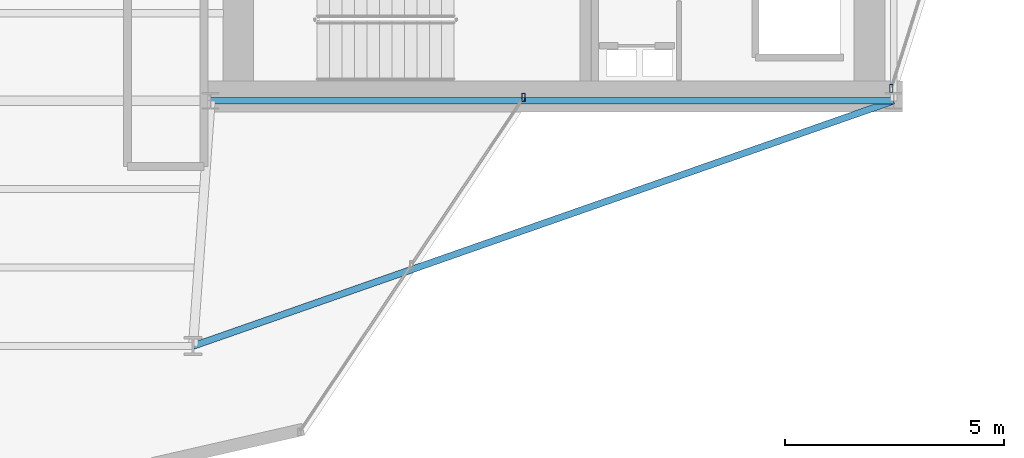
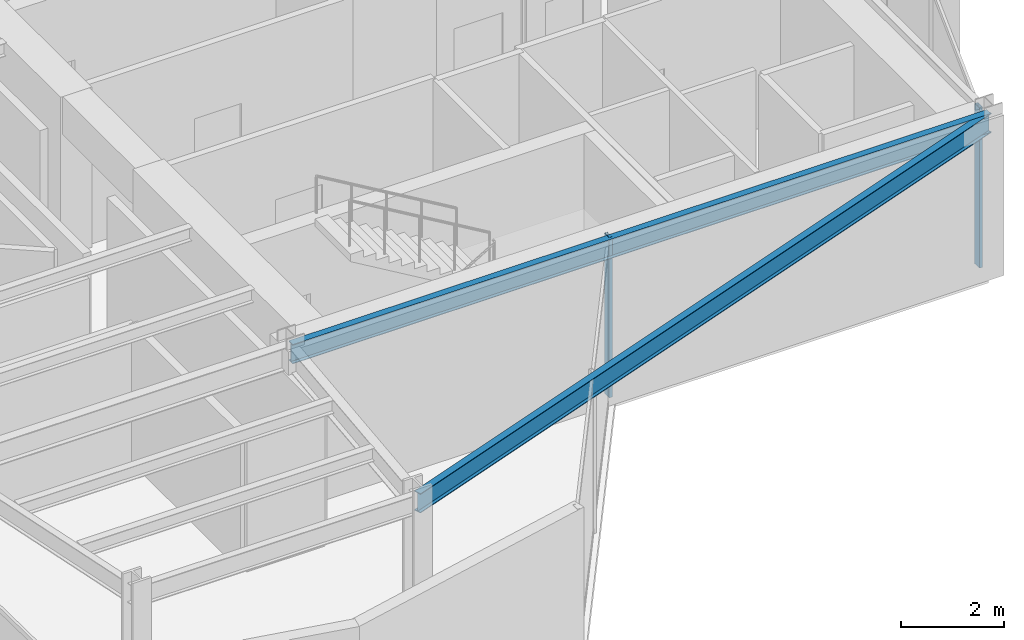
# One storey, part 14 of 22: 2 beams, 2 members, 2 elements without a shape of their own.
"""IFC4 building model written with IfcOpenShell, lengths in metres."""

from ifc_helpers import new_model, si_unit, direction, frame, origin, origin_2d, place, context, subcontext, project, spatial, hollow_rectangle, i_section, extrude, material, layer, layer_set, material_profile, profile_set, type_object, element, aggregate, save


model = new_model("IFC4")

# Units and contexts
model_context = context("Model", 3, precision=1e-05, world=origin(), true_north=direction((0.0, 1.0)))
body_context = subcontext(model_context, "Body", "Model", "MODEL_VIEW")
ifc_project = project(units=[si_unit("LENGTHUNIT", "METRE"), si_unit("AREAUNIT", "SQUARE_METRE"), si_unit("VOLUMEUNIT", "CUBIC_METRE"), si_unit("PLANEANGLEUNIT", "RADIAN"), si_unit("MASSUNIT", "GRAM", prefix="KILO")], contexts=[model_context])

# Site, building, storey
site_placement = place(None, origin())
site = spatial("IfcSite", under=ifc_project, at=site_placement, CompositionType="ELEMENT")
building_placement = place(site_placement, origin())
building = spatial("IfcBuilding", under=site, at=building_placement, Name="Veymaron Broadcast Tower", CompositionType="ELEMENT")
storey_placement = place(building_placement, frame((0.0, 0.0, 204.0)))
storey = spatial("IfcBuildingStorey", under=building, at=storey_placement, Name="L47", CompositionType="ELEMENT", Elevation=204.0)

# Beams
ifc_material_1 = material(Name="Structural steel ASTM A992 Gr 50", Category="steel")
ifc_material_profile_1 = material_profile(ifc_material_1, i_section(OverallWidth=0.154052734375, OverallDepth=0.458984375, WebThickness=0.009033203125, FlangeThickness=0.015380859375, at=origin_2d()), Name="W460X68")
ifc_profile_set_1 = profile_set([ifc_material_profile_1], Name="Structural steel ASTM A992 Gr 50")
beam_type = type_object("IfcBeamType", Name="BM-SP2", PredefinedType="SPANDREL", material=ifc_profile_set_1)
beam_1_placement = place(storey_placement, frame((39.0, 16.0, 3.560546875), z_axis=(1.0, 0.0, 0.0), x_axis=(0.0, 1.0, 0.0)))
element("IfcBeam", 1, at=beam_1_placement, inside=storey, type_object=beam_type, Name="L47 primary structural floor girder", PredefinedType="SPANDREL", context=body_context, shape_type="SweptSolid", body=[
    extrude(i_section(OverallWidth=0.154052734375, OverallDepth=0.458984375, WebThickness=0.009033203125, FlangeThickness=0.015380859375, at=origin_2d()), origin(), (0.0, 0.0, 1.0), 15.60009765625),
])
beam_2_placement = place(storey_placement, frame((54.60009765625, 16.0, 3.560546875), z_axis=(-0.943856560098, -0.330355556878, 0.0), x_axis=(0.330355556878, -0.943856560098, 0.0)))
element("IfcBeam", 2, at=beam_2_placement, inside=storey, type_object=beam_type, Name="L47 primary structural floor girder", PredefinedType="SPANDREL", context=body_context, shape_type="SweptSolid", body=[
    extrude(i_section(OverallWidth=0.154052734375, OverallDepth=0.458984375, WebThickness=0.009033203125, FlangeThickness=0.015380859375, at=origin_2d()), origin(), (0.0, 0.0, 1.0), 16.95166015625),
])

# Curtain wall, member
ifc_material_2 = material(Name="Anodised aluminium AA 6063-T6 and laminated low-E dark glass", Category="aluminium")
ifc_layer = layer(ifc_material_2, 0.179931640625)
ifc_layer_set = layer_set([ifc_layer], Name="Anodised aluminium AA 6063-T6 and laminated low-E dark glass")
curtain_wall_type = type_object("IfcCurtainWallType", Name="CW-SYS-05", PredefinedType="NOTDEFINED", material=ifc_layer_set)
curtain_wall_1_placement = place(storey_placement, origin())
curtain_wall_1 = element("IfcCurtainWall", 3, at=curtain_wall_1_placement, inside=storey, type_object=curtain_wall_type, Name="L47 dark-glass curtain wall CW-L47-E2-1", PredefinedType="NOTDEFINED")
ifc_material_3 = material(Name="Anodised aluminium AA 6063-T6", Category="aluminium")
ifc_material_profile_2 = material_profile(ifc_material_3, hollow_rectangle(XDim=0.074951171875, YDim=0.179931640625, WallThickness=0.0048828125, at=origin_2d()), Name="AL180X75X5")
ifc_profile_set_2 = profile_set([ifc_material_profile_2], Name="Anodised aluminium AA 6063-T6")
member_type = type_object("IfcMemberType", Name="CW-MUL-02", PredefinedType="MULLION", material=ifc_profile_set_2)
member_1_placement = place(storey_placement, frame((54.54345703125, 16.286376953125, 0.0), z_axis=(0.0, 0.0, 1.0), x_axis=(1.0, 0.0, 0.0)))
member_1 = element("IfcMember", 4, at=member_1_placement, type_object=member_type, Name="CW-L47-E2-1 mullion 0", PredefinedType="MULLION", context=body_context, shape_type="SweptSolid", body=[
    extrude(hollow_rectangle(XDim=0.074951171875, YDim=0.179931640625, WallThickness=0.0048828125, at=origin_2d()), origin(), (0.0, 0.0, 1.0), 3.7900390625),
])
aggregate(curtain_wall_1, [member_1])

curtain_wall_2_placement = place(storey_placement, origin())
curtain_wall_2 = element("IfcCurtainWall", 5, at=curtain_wall_2_placement, inside=storey, type_object=curtain_wall_type, Name="L47 dark-glass curtain wall CW-L47-E20-1", PredefinedType="NOTDEFINED")
member_2_placement = place(storey_placement, frame((46.147705078125, 16.077880859375, 0.0), z_axis=(0.0, 0.0, 1.0), x_axis=(1.0, 0.0, 0.0)))
member_2 = element("IfcMember", 6, at=member_2_placement, type_object=member_type, Name="CW-L47-E20-1 mullion 2", PredefinedType="MULLION", context=body_context, shape_type="SweptSolid", body=[
    extrude(hollow_rectangle(XDim=0.074951171875, YDim=0.179931640625, WallThickness=0.0048828125, at=origin_2d()), origin(), (0.0, 0.0, 1.0), 3.7900390625),
])
aggregate(curtain_wall_2, [member_2])

save(model, "model.ifc")
